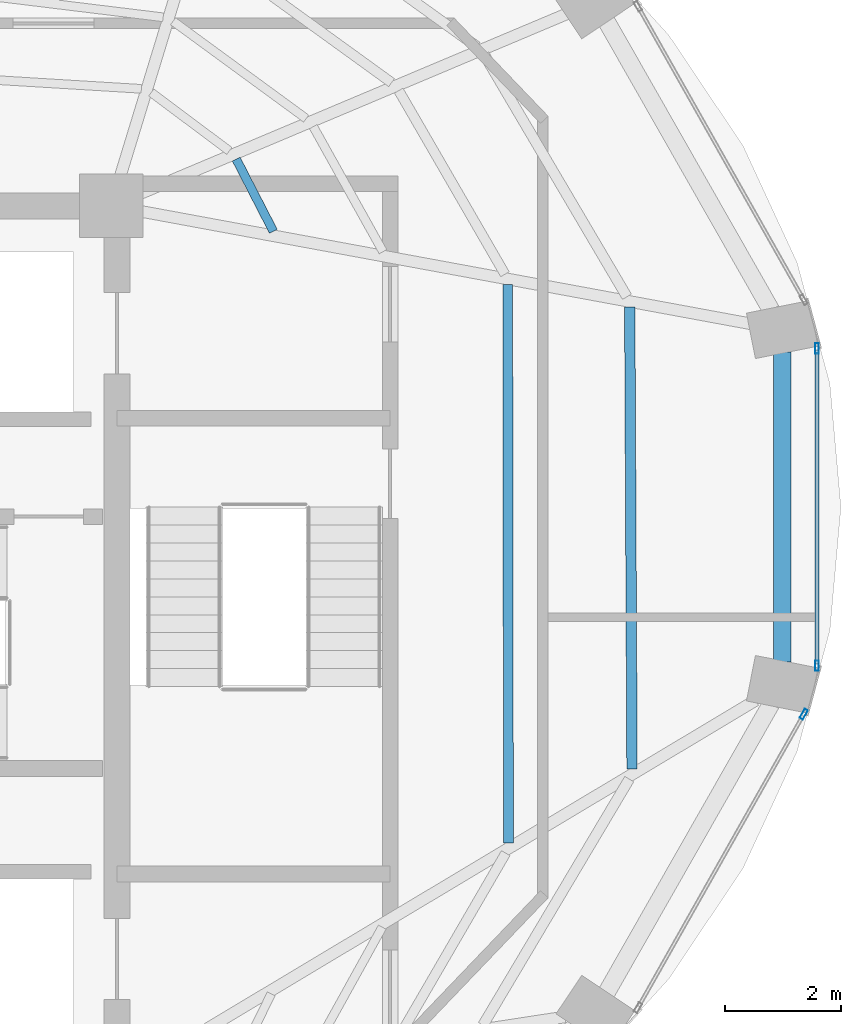
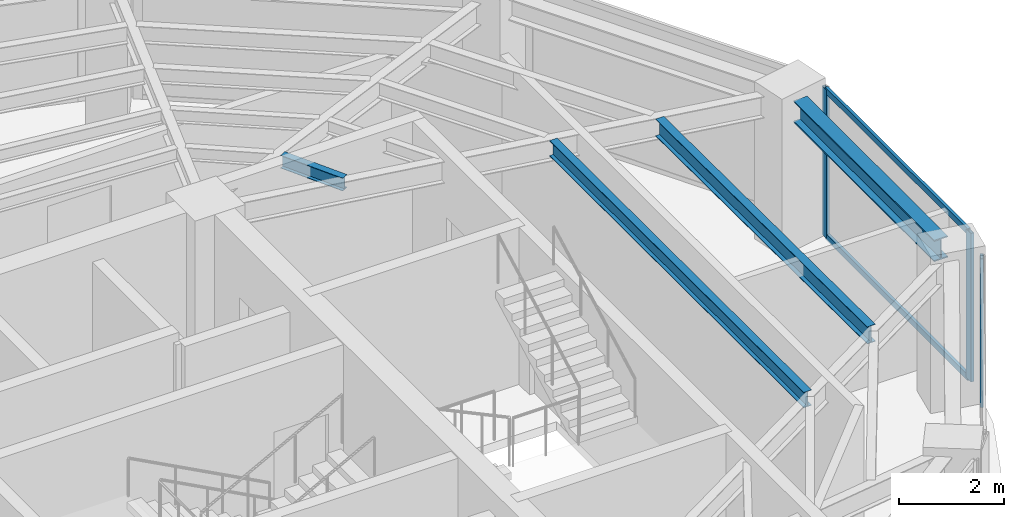
# One storey, part 14 of 22: 5 members, 4 beams, 2 elements without a shape of their own.
"""IFC4 building model written with IfcOpenShell, lengths in metres."""

from ifc_helpers import new_model, si_unit, direction, frame, origin, origin_2d, place, context, subcontext, project, spatial, hollow_rectangle, i_section, extrude, material, layer, layer_set, material_profile, profile_set, type_object, element, aggregate, save


model = new_model("IFC4")

# Units and contexts
model_context = context("Model", 3, precision=1e-05, world=origin(), true_north=direction((0.0, 1.0)))
body_context = subcontext(model_context, "Body", "Model", "MODEL_VIEW")
ifc_project = project(units=[si_unit("LENGTHUNIT", "METRE"), si_unit("AREAUNIT", "SQUARE_METRE"), si_unit("VOLUMEUNIT", "CUBIC_METRE"), si_unit("PLANEANGLEUNIT", "RADIAN"), si_unit("MASSUNIT", "GRAM", prefix="KILO")], contexts=[model_context])

# Site, building, storey
site_placement = place(None, origin())
site = spatial("IfcSite", under=ifc_project, at=site_placement, CompositionType="ELEMENT")
building_placement = place(site_placement, origin())
building = spatial("IfcBuilding", under=site, at=building_placement, Name="Lazwardi Medical Tower", CompositionType="ELEMENT")
storey_placement = place(building_placement, frame((0.0, 0.0, 251.3759765625)))
storey = spatial("IfcBuildingStorey", under=building, at=storey_placement, Name="L65", CompositionType="ELEMENT", Elevation=251.3759765625)

# Beams
ifc_material_1 = material(Name="Steel S355", Category="steel")
ifc_material_profile_1 = material_profile(ifc_material_1, i_section(OverallWidth=0.300048828125, OverallDepth=0.5, WebThickness=0.014404296875, FlangeThickness=0.028076171875, at=origin_2d()), Name="HEB 500")
ifc_profile_set_1 = profile_set([ifc_material_profile_1], Name="Steel S355")
beam_type_1 = type_object("IfcBeamType", Name="BM-RB-Z4", PredefinedType="BEAM", material=ifc_profile_set_1)
beam_1_placement = place(storey_placement, frame((57.18505859375, 27.72705078125, 3.197998046875), z_axis=(0.0, 1.0, 0.0), x_axis=(-1.0, 0.0, 0.0)))
element("IfcBeam", 1, at=beam_1_placement, inside=storey, type_object=beam_type_1, Name="Ring beam RB-05 B04 L65", PredefinedType="BEAM", context=body_context, shape_type="SweptSolid", body=[
    extrude(i_section(OverallWidth=0.300048828125, OverallDepth=0.5, WebThickness=0.014404296875, FlangeThickness=0.028076171875, at=origin_2d()), origin(), (0.0, 0.0, 1.0), 5.345947265625),
])
ifc_material_profile_2 = material_profile(ifc_material_1, i_section(OverallWidth=0.179931640625, OverallDepth=0.39990234375, WebThickness=0.008544921875, FlangeThickness=0.013427734375, at=origin_2d()), Name="IPE 400")
ifc_profile_set_2 = profile_set([ifc_material_profile_2], Name="Steel S355")
beam_type_2 = type_object("IfcBeamType", Name="BM-SJ-01", PredefinedType="JOIST", material=ifc_profile_set_2)
beam_2_placement = place(storey_placement, frame((54.592041015625, 25.879638671875, 3.248046875), z_axis=(-0.004929366644, 0.999987850598, 0.0), x_axis=(-0.999987850598, -0.004929366644, 0.0)))
element("IfcBeam", 2, at=beam_2_placement, inside=storey, type_object=beam_type_2, Name="Secondary joist SJ-01 R1 B04 L65", PredefinedType="JOIST", context=body_context, shape_type="SweptSolid", body=[
    extrude(i_section(OverallWidth=0.179931640625, OverallDepth=0.39990234375, WebThickness=0.008544921875, FlangeThickness=0.013427734375, at=origin_2d()), origin(), (0.0, 0.0, 1.0), 7.973876953125),
])
ifc_material_profile_3 = material_profile(ifc_material_1, i_section(OverallWidth=0.169921875, OverallDepth=0.360107421875, WebThickness=0.008056640625, FlangeThickness=0.0126953125, at=origin_2d()), Name="IPE 360")
ifc_profile_set_3 = profile_set([ifc_material_profile_3], Name="Steel S355")
beam_type_3 = type_object("IfcBeamType", Name="BM-SJ-02", PredefinedType="JOIST", material=ifc_profile_set_3)
beam_3_placement = place(storey_placement, frame((52.458984375, 24.602294921875, 3.26806640625), z_axis=(-0.001367606673, 0.999999064826, 0.0), x_axis=(-0.999999064826, -0.001367606673, 0.0)))
element("IfcBeam", 3, at=beam_3_placement, inside=storey, type_object=beam_type_3, Name="Secondary joist SJ-02 R2 B04 L65", PredefinedType="JOIST", context=body_context, shape_type="SweptSolid", body=[
    extrude(i_section(OverallWidth=0.169921875, OverallDepth=0.360107421875, WebThickness=0.008056640625, FlangeThickness=0.0126953125, at=origin_2d()), origin(), (0.0, 0.0, 1.0), 9.639892578125),
])
ifc_material_profile_4 = material_profile(ifc_material_1, i_section(OverallWidth=0.14990234375, OverallDepth=0.300048828125, WebThickness=0.007080078125, FlangeThickness=0.0107421875, at=origin_2d()), Name="IPE 300")
ifc_profile_set_4 = profile_set([ifc_material_profile_4], Name="Steel S355")
beam_type_4 = type_object("IfcBeamType", Name="BM-SJ-03", PredefinedType="JOIST", material=ifc_profile_set_4)
beam_4_placement = place(storey_placement, frame((48.39990234375, 35.159912109375, 3.298095703125), z_axis=(-0.457285056668, 0.889320176848, 0.0), x_axis=(-0.889320176848, -0.457285056668, 0.0)))
element("IfcBeam", 4, at=beam_4_placement, inside=storey, type_object=beam_type_4, Name="Secondary joist SJ-03 R4 B05 L65", PredefinedType="JOIST", context=body_context, shape_type="SweptSolid", body=[
    extrude(i_section(OverallWidth=0.14990234375, OverallDepth=0.300048828125, WebThickness=0.007080078125, FlangeThickness=0.0107421875, at=origin_2d()), origin(), (0.0, 0.0, 1.0), 1.402099609375),
])

# Curtain wall, member
ifc_material_2 = material(Name="Anodised bronze aluminium and solar control glazing", Category="aluminium")
ifc_layer = layer(ifc_material_2, 0.18994140625)
ifc_layer_set = layer_set([ifc_layer], Name="Anodised bronze aluminium and solar control glazing")
curtain_wall_type = type_object("IfcCurtainWallType", Name="CW-SYS-04", PredefinedType="NOTDEFINED", material=ifc_layer_set)
curtain_wall_1_placement = place(storey_placement, origin())
curtain_wall_1 = element("IfcCurtainWall", 5, at=curtain_wall_1_placement, inside=storey, type_object=curtain_wall_type, Name="L65 Unitised bronze curtain wall CW-04", PredefinedType="NOTDEFINED")
ifc_material_3 = material(Name="Anodised bronze aluminium", Category="aluminium")
ifc_material_profile_5 = material_profile(ifc_material_3, hollow_rectangle(XDim=0.06494140625, YDim=0.179931640625, WallThickness=0.00390625, at=origin_2d()), Name="ALU-MULLION 180x65x4")
ifc_profile_set_5 = profile_set([ifc_material_profile_5], Name="Anodised bronze aluminium")
member_type_1 = type_object("IfcMemberType", Name="CW-MUL-03", PredefinedType="MULLION", material=ifc_profile_set_5)
member_1_placement = place(storey_placement, frame((57.557373046875, 26.82177734375, 0.0), z_axis=(0.0, 0.0, 1.0), x_axis=(-0.870651436011, 0.491900474661, 0.0)))
member_1 = element("IfcMember", 6, at=member_1_placement, type_object=member_type_1, Name="CW-04 mullion 2", PredefinedType="MULLION", context=body_context, shape_type="SweptSolid", body=[
    extrude(hollow_rectangle(XDim=0.06494140625, YDim=0.179931640625, WallThickness=0.00390625, at=origin_2d()), origin(), (0.0, 0.0, 1.0), 3.447998046875),
])
aggregate(curtain_wall_1, [member_1])

# Curtain wall, members
curtain_wall_2_placement = place(storey_placement, origin())
curtain_wall_2 = element("IfcCurtainWall", 7, at=curtain_wall_2_placement, inside=storey, type_object=curtain_wall_type, Name="L65 Unitised bronze curtain wall CW-04", PredefinedType="NOTDEFINED")
member_2_placement = place(storey_placement, frame((57.7841796875, 27.659423828125, 0.0), z_axis=(0.0, 0.0, 1.0), x_axis=(-1.0, 0.0, 0.0)))
member_2 = element("IfcMember", 8, at=member_2_placement, type_object=member_type_1, Name="CW-04 mullion 1", PredefinedType="MULLION", context=body_context, shape_type="SweptSolid", body=[
    extrude(hollow_rectangle(XDim=0.06494140625, YDim=0.179931640625, WallThickness=0.00390625, at=origin_2d()), origin(), (0.0, 0.0, 1.0), 3.447998046875),
])
member_3_placement = place(storey_placement, frame((57.7841796875, 33.140380859375, 0.0), z_axis=(0.0, 0.0, 1.0), x_axis=(-1.0, 0.0, 0.0)))
member_3 = element("IfcMember", 9, at=member_3_placement, type_object=member_type_1, Name="CW-04 mullion 2", PredefinedType="MULLION", context=body_context, shape_type="SweptSolid", body=[
    extrude(hollow_rectangle(XDim=0.06494140625, YDim=0.179931640625, WallThickness=0.00390625, at=origin_2d()), origin(), (0.0, 0.0, 1.0), 3.447998046875),
])
ifc_material_profile_6 = material_profile(ifc_material_3, hollow_rectangle(XDim=0.06494140625, YDim=0.139892578125, WallThickness=0.00341796875, at=origin_2d()), Name="ALU-TRANSOM 140x65x3.5")
ifc_profile_set_6 = profile_set([ifc_material_profile_6], Name="Anodised bronze aluminium")
member_type_2 = type_object("IfcMemberType", Name="CW-TRN-03", PredefinedType="USERDEFINED", material=ifc_profile_set_6)
member_4_placement = place(storey_placement, frame((57.7841796875, 27.69189453125, 0.032470703125), z_axis=(0.0, 1.0, 0.0), x_axis=(-1.0, 0.0, 0.0)))
member_4 = element("IfcMember", 10, at=member_4_placement, type_object=member_type_2, Name="CW-04 transom 1.1", ObjectType="TRANSOM", PredefinedType="USERDEFINED", context=body_context, shape_type="SweptSolid", body=[
    extrude(hollow_rectangle(XDim=0.06494140625, YDim=0.139892578125, WallThickness=0.00341796875, at=origin_2d()), origin(), (0.0, 0.0, 1.0), 5.416015625),
])
member_5_placement = place(storey_placement, frame((57.7841796875, 27.69189453125, 3.41552734375), z_axis=(0.0, 1.0, 0.0), x_axis=(-1.0, 0.0, 0.0)))
member_5 = element("IfcMember", 11, at=member_5_placement, type_object=member_type_2, Name="CW-04 transom 1.2", ObjectType="TRANSOM", PredefinedType="USERDEFINED", context=body_context, shape_type="SweptSolid", body=[
    extrude(hollow_rectangle(XDim=0.06494140625, YDim=0.139892578125, WallThickness=0.00341796875, at=origin_2d()), origin(), (0.0, 0.0, 1.0), 5.416015625),
])
aggregate(curtain_wall_2, [member_2, member_3, member_4, member_5])

save(model, "model.ifc")
